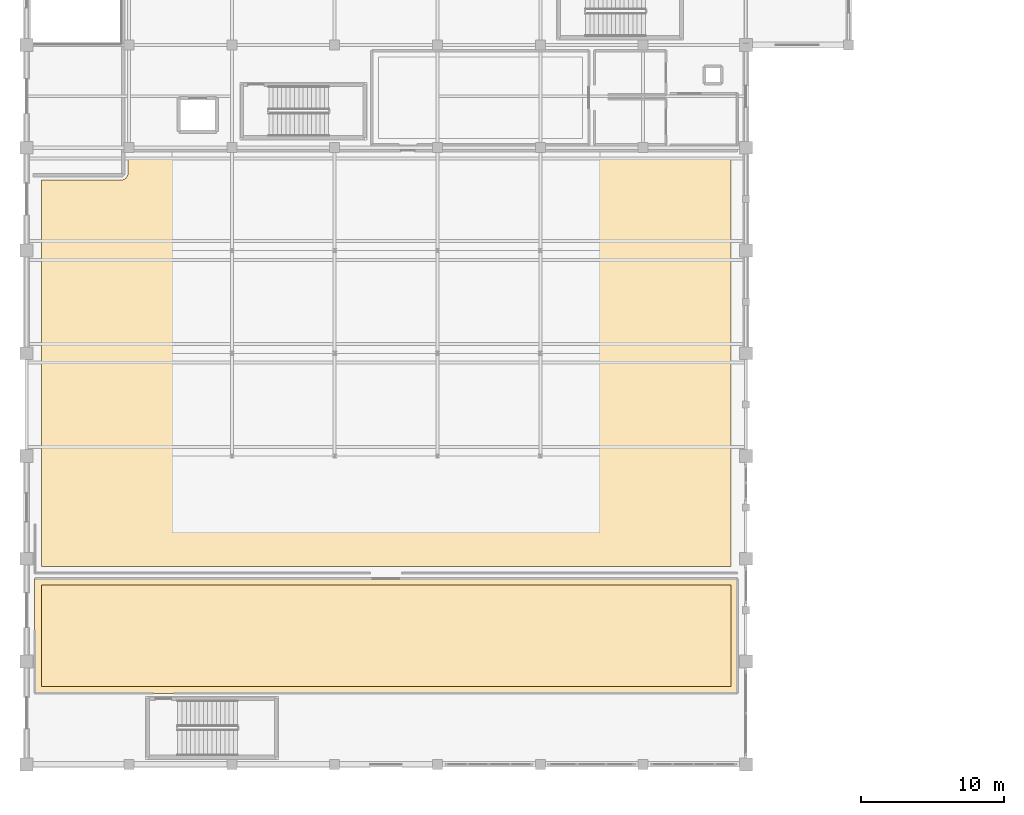
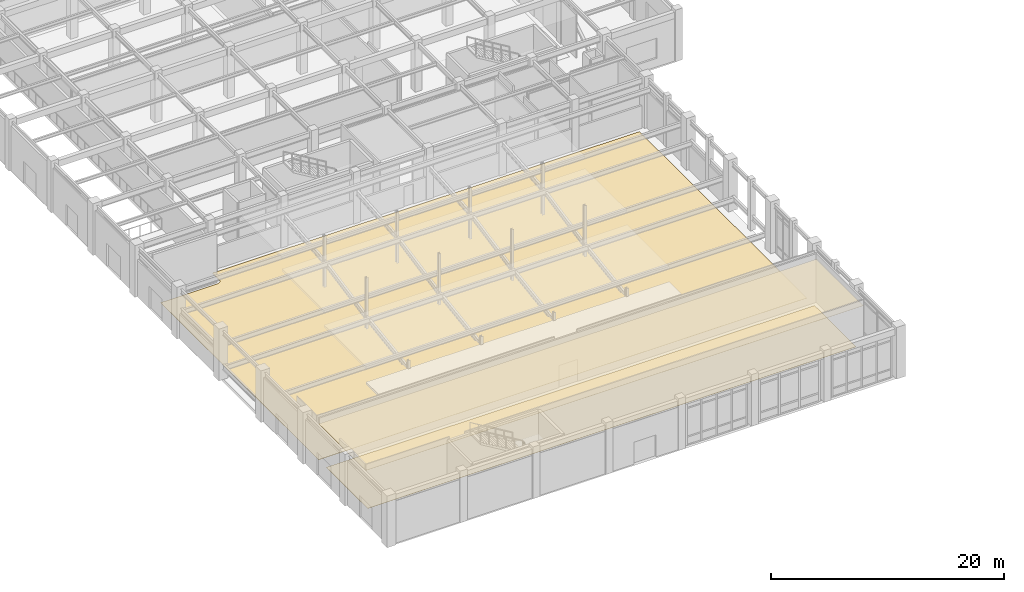
# One storey, part 87 of 102: 3 coverings.
"""IFC4 building model written with IfcOpenShell, lengths in metres."""

import ifcopenshell
import ifcopenshell.guid

model = None  # the IFC model being written
_history = None  # IfcOwnerHistory: only IFC2X3 demands one
_inside = {}  # id of a spatial element -> (the spatial element, [elements in it])
_under = {}  # id of a project, library or spatial element -> (it, [spatial elements below it])
_declared = {}  # id of a project -> (the project, [libraries it declares])
_typed = {}  # id of a type object -> (the type object, [elements of that type])
_made_of = {}  # id of a material, layer set ... -> (it, [elements and type objects made of it])


def new_model(schema):
    """Start an empty IFC model of exactly this schema.

    Asked for "IFC4X3", IfcOpenShell would pick the latest addendum, in which some entities
    have other attributes; the version numbers below select the first issue.
    IFC2X3 requires an IfcOwnerHistory on every rooted entity: one is made here for all.
    """
    global model, _history
    if schema == "IFC4X3":
        model = ifcopenshell.file(schema_version=(4, 3, 0, 0))
    else:
        model = ifcopenshell.file(schema=schema)
    _inside.clear()
    _under.clear()
    _declared.clear()
    _typed.clear()
    _made_of.clear()
    _history = None
    if model.schema == "IFC2X3":
        org = make("IfcOrganization", Name="unknown")
        user = make(
            "IfcPersonAndOrganization",
            ThePerson=make("IfcPerson", FamilyName="unknown"),
            TheOrganization=org,
        )
        app = make(
            "IfcApplication",
            ApplicationDeveloper=org,
            Version="unknown",
            ApplicationFullName="unknown",
            ApplicationIdentifier="unknown",
        )
        _history = make(
            "IfcOwnerHistory",
            OwningUser=user,
            OwningApplication=app,
            ChangeAction="ADDED",
            CreationDate=0,
        )
    return model


def make(cls, **values):
    """One entity of the class cls with the attributes given. An attribute that is None is left unset."""
    return model.create_entity(
        cls, **{name: value for name, value in values.items() if value is not None}
    )


def rooted(cls, **values):
    """An entity with a GlobalId (a new one), such as an element, a storey or a relation."""
    return make(cls, GlobalId=ifcopenshell.guid.new(), OwnerHistory=_history, **values)


def si_unit(unit_type, name, prefix=None):
    """IfcSIUnit, for example si_unit("LENGTHUNIT", "METRE", prefix="MILLI")."""
    return make("IfcSIUnit", UnitType=unit_type, Prefix=prefix, Name=name)


def assignment(units):
    """IfcUnitAssignment: the units of a project."""
    return None if units is None else make("IfcUnitAssignment", Units=units)


def point(xyz):
    """IfcCartesianPoint."""
    return None if xyz is None else make("IfcCartesianPoint", Coordinates=xyz)


def direction(xyz):
    """IfcDirection."""
    return None if xyz is None else make("IfcDirection", DirectionRatios=xyz)


def frame(location, z_axis=None, x_axis=None):
    """IfcAxis2Placement3D, a coordinate frame: its origin and axes. An axis left out is left unset."""
    return make(
        "IfcAxis2Placement3D",
        Location=point(location),
        Axis=direction(z_axis),
        RefDirection=direction(x_axis),
    )


def origin():
    """The frame at (0, 0, 0) with its axes left unset."""
    return frame((0.0, 0.0, 0.0))


def place(relative_to, where):
    """IfcLocalPlacement: puts the frame where relative to a parent placement (None: the world)."""
    return make(
        "IfcLocalPlacement", PlacementRelTo=relative_to, RelativePlacement=where
    )


def context(
    kind, dimensions, precision=None, world=None, true_north=None, identifier=None
):
    """IfcGeometricRepresentationContext, for example the 3D "Model" context."""
    return make(
        "IfcGeometricRepresentationContext",
        ContextIdentifier=identifier,
        ContextType=kind,
        CoordinateSpaceDimension=dimensions,
        Precision=precision,
        WorldCoordinateSystem=world,
        TrueNorth=true_north,
    )


def subcontext(parent, identifier, kind, view, scale=None):
    """IfcGeometricRepresentationSubContext, for example "Body" below "Model"."""
    return make(
        "IfcGeometricRepresentationSubContext",
        ContextIdentifier=identifier,
        ContextType=kind,
        ParentContext=parent,
        TargetScale=scale,
        TargetView=view,
    )


def project(units=None, contexts=None):
    """IfcProject with its units and contexts."""
    return rooted(
        "IfcProject",
        Name="project",
        RepresentationContexts=contexts,
        UnitsInContext=assignment(units),
    )


def spatial(cls, under=None, at=None, **own):
    """A site, building, storey or space (cls), placed at a placement, below another one or the project."""
    s = rooted(cls, ObjectPlacement=at, **own)
    if under is not None:
        _under.setdefault(under.id(), (under, []))[1].append(s)
    return s


def polyline(points):
    """IfcPolyline through the points."""
    return make("IfcPolyline", Points=[point(p) for p in points])


def outline(outer, holes=None, kind="AREA"):
    """IfcArbitraryClosedProfileDef: a profile drawn as a closed curve; with holes, ...WithVoids."""
    if holes is None:
        return make("IfcArbitraryClosedProfileDef", ProfileType=kind, OuterCurve=outer)
    return make(
        "IfcArbitraryProfileDefWithVoids",
        ProfileType=kind,
        OuterCurve=outer,
        InnerCurves=holes,
    )


def extrude(swept, where, along, depth):
    """IfcExtrudedAreaSolid: the profile swept, set in the frame where, extruded along a direction by depth."""
    return make(
        "IfcExtrudedAreaSolid",
        SweptArea=swept,
        Position=where,
        ExtrudedDirection=direction(along),
        Depth=depth,
    )


def shape(context_of_items, identifier, shape_type, items):
    """IfcShapeRepresentation: the items that make up one representation, for example the "Body"."""
    return make(
        "IfcShapeRepresentation",
        ContextOfItems=context_of_items,
        RepresentationIdentifier=identifier,
        RepresentationType=shape_type,
        Items=items,
    )


def material(Name=None, Category=None):
    """IfcMaterial."""
    return make("IfcMaterial", Name=Name, Category=Category)


def layer(
    of_material, thickness, ventilated=None, Name=None, Category=None, Priority=None
):
    """IfcMaterialLayer: one layer of a wall or slab, of a material (None: an air gap)."""
    return make(
        "IfcMaterialLayer",
        Material=of_material,
        LayerThickness=thickness,
        IsVentilated=ventilated,
        Name=Name,
        Category=Category,
        Priority=Priority,
    )


def layer_set(layers, Name=None):
    """IfcMaterialLayerSet."""
    return make("IfcMaterialLayerSet", MaterialLayers=layers, LayerSetName=Name)


def made_of(thing, what):
    """Note that an element or type object is made of a material, layer set ...; save() writes the relation."""
    if what is not None:
        _made_of.setdefault(what.id(), (what, []))[1].append(thing)
    return thing


def type_object(cls, material=None, **own):
    """A type object (cls), such as IfcWallType, which elements share."""
    return made_of(rooted(cls, **own), material)


def element(
    cls,
    number,
    at=None,
    inside=None,
    cuts=None,
    type_object=None,
    material=None,
    context=None,
    identifier="Body",
    shape_type=None,
    held_by="IfcProductDefinitionShape",
    body=None,
    shapes=None,
    **own,
):
    """One element of the class cls, such as IfcWall. Its Tag is "e" and its number.

    at: its placement. inside: the storey or other place that contains it. cuts: it is an
    opening in that element (IfcRelVoidsElement). A single representation is given by context,
    identifier, shape_type and body (its items); several are given by shapes. held_by: the class
    of the entity that holds the representations. save() writes the other relations.
    """
    e = rooted(cls, Tag="e%d" % number, ObjectPlacement=at, **own)
    if body is not None:
        shapes = [shape(context, identifier, shape_type, body)]
    if shapes is not None:
        e.Representation = make(held_by, Representations=shapes)
    if inside is not None:
        _inside.setdefault(inside.id(), (inside, []))[1].append(e)
    if cuts is not None:
        rooted(
            "IfcRelVoidsElement", RelatingBuildingElement=cuts, RelatedOpeningElement=e
        )
    if type_object is not None:
        _typed.setdefault(type_object.id(), (type_object, []))[1].append(e)
    return made_of(e, material)


def aggregate(whole, parts):
    """IfcRelAggregates: a whole, such as a stair, and the parts it consists of."""
    return rooted("IfcRelAggregates", RelatingObject=whole, RelatedObjects=parts)


def save(model, path):
    """Write the relations noted so far, then the file.

    IfcRelAggregates (storeys below a building ...), IfcRelContainedInSpatialStructure (elements
    in a storey), IfcRelDefinesByType, IfcRelAssociatesMaterial and IfcRelDeclares: one each for
    every whole, place, type object, material and project.
    """
    for whole, parts in _under.values():
        aggregate(whole, parts)
    for where, things in _inside.values():
        rooted(
            "IfcRelContainedInSpatialStructure",
            RelatedElements=things,
            RelatingStructure=where,
        )
    for kind, things in _typed.values():
        rooted("IfcRelDefinesByType", RelatedObjects=things, RelatingType=kind)
    for what, things in _made_of.values():
        rooted("IfcRelAssociatesMaterial", RelatedObjects=things, RelatingMaterial=what)
    for by, libraries in _declared.values():
        rooted("IfcRelDeclares", RelatingContext=by, RelatedDefinitions=libraries)
    model.write(path)


model = new_model("IFC4")

# Units and contexts
model_context = context("Model", 3, precision=1e-05, world=origin(), true_north=direction((0.0, 1.0)))
body_context = subcontext(model_context, "Body", "Model", "MODEL_VIEW")
ifc_project = project(units=[si_unit("LENGTHUNIT", "METRE"), si_unit("AREAUNIT", "SQUARE_METRE"), si_unit("VOLUMEUNIT", "CUBIC_METRE"), si_unit("PLANEANGLEUNIT", "RADIAN"), si_unit("MASSUNIT", "GRAM", prefix="KILO")], contexts=[model_context])

# Site, building, storey
site_placement = place(None, origin())
site = spatial("IfcSite", under=ifc_project, at=site_placement, CompositionType="ELEMENT")
building_placement = place(site_placement, origin())
building = spatial("IfcBuilding", under=site, at=building_placement, Name="Carrowvane Square Congress Hotel", CompositionType="ELEMENT")
storey_placement = place(building_placement, origin())
storey = spatial("IfcBuildingStorey", under=building, at=storey_placement, Name="L00", CompositionType="ELEMENT", Elevation=0.0)

# Coverings
ifc_material_1 = material(Name="Acoustic gypsum board", Category="gypsum")
ifc_layer_1 = layer(ifc_material_1, 0.02001953125)
ifc_layer_set_1 = layer_set([ifc_layer_1], Name="Acoustic gypsum board")
covering_type_1 = type_object("IfcCoveringType", Name="COV-CLG-AC20", PredefinedType="CEILING", material=ifc_layer_set_1)
covering_1_placement = place(storey_placement, frame((0.0, 0.0, 4.429931640625)))
element("IfcCovering", 1, at=covering_1_placement, inside=storey, type_object=covering_type_1, Name="L00 Plenary Congress Stage and Wing acoustic ceiling", PredefinedType="CEILING", context=body_context, shape_type="SweptSolid", body=[
    extrude(outline(polyline([(12.194091796875, 18.419189453125), (12.196044921875, 18.419677734375), (12.197998046875, 18.419921875), (12.199951171875, 18.419921875), (61.39990234375, 18.419921875), (61.402099609375, 18.419921875), (61.40380859375, 18.419677734375), (61.40576171875, 18.419189453125), (61.40771484375, 18.41845703125), (61.409423828125, 18.41748046875), (61.4111328125, 18.41650390625), (61.41259765625, 18.41552734375), (61.4140625, 18.4140625), (61.41552734375, 18.41259765625), (61.41650390625, 18.4111328125), (61.41748046875, 18.409423828125), (61.41845703125, 18.40771484375), (61.419189453125, 18.40576171875), (61.419677734375, 18.40380859375), (61.419921875, 18.402099609375), (61.419921875, 18.39990234375), (61.419921875, 10.39990234375), (61.419921875, 10.39794921875), (61.419677734375, 10.39599609375), (61.419189453125, 10.394287109375), (61.41845703125, 10.392333984375), (61.41748046875, 10.390625), (61.41650390625, 10.388916015625), (61.41552734375, 10.38720703125), (61.4140625, 10.385986328125), (61.41259765625, 10.384521484375), (61.4111328125, 10.38330078125), (61.409423828125, 10.38232421875), (61.40771484375, 10.381591796875), (61.40576171875, 10.380859375), (61.40380859375, 10.38037109375), (61.402099609375, 10.380126953125), (61.39990234375, 10.3798828125), (12.199951171875, 10.3798828125), (12.197998046875, 10.380126953125), (12.196044921875, 10.38037109375), (12.194091796875, 10.380859375), (12.1923828125, 10.381591796875), (12.190673828125, 10.38232421875), (12.18896484375, 10.38330078125), (12.187255859375, 10.384521484375), (12.185791015625, 10.385986328125), (12.1845703125, 10.38720703125), (12.183349609375, 10.388916015625), (12.182373046875, 10.390625), (12.181396484375, 10.392333984375), (12.180908203125, 10.394287109375), (12.180419921875, 10.39599609375), (12.18017578125, 10.39794921875), (12.179931640625, 10.39990234375), (12.179931640625, 18.39990234375), (12.18017578125, 18.402099609375), (12.180419921875, 18.40380859375), (12.180908203125, 18.40576171875), (12.181396484375, 18.40771484375), (12.182373046875, 18.409423828125), (12.183349609375, 18.4111328125), (12.1845703125, 18.41259765625), (12.185791015625, 18.4140625), (12.187255859375, 18.41552734375), (12.18896484375, 18.41650390625), (12.190673828125, 18.41748046875), (12.1923828125, 18.41845703125), (12.194091796875, 18.419189453125)])), origin(), (0.0, 0.0, 1.0), 0.02001953125),
])
ifc_material_2 = material(Name="Portland limestone cladding", Category="masonry")
ifc_layer_2 = layer(ifc_material_2, 0.02587890625)
ifc_layer_set_2 = layer_set([ifc_layer_2], Name="Portland limestone cladding")
covering_type_2 = type_object("IfcCoveringType", Name="COV-FLR-STN26", PredefinedType="FLOORING", material=ifc_layer_set_2)
covering_2_placement = place(storey_placement, origin())
element("IfcCovering", 2, at=covering_2_placement, inside=storey, type_object=covering_type_2, Name="L00 Plenary Congress Auditorium Stalls floor finish", PredefinedType="FLOORING", context=body_context, shape_type="SweptSolid", body=[
    extrude(outline(polyline([(18.669921875, 46.6142578125), (18.687255859375, 46.65869140625), (18.699951171875, 46.705078125), (18.70751953125, 46.752197265625), (18.7099609375, 46.800048828125), (18.7099609375, 47.949951171875), (60.949951171875, 47.949951171875), (60.949951171875, 19.25), (12.64990234375, 19.25), (12.64990234375, 46.340087890625), (18.2529296875, 46.34033203125), (18.299560546875, 46.3427734375), (18.345458984375, 46.35009765625), (18.390625, 46.362060546875), (18.43408203125, 46.37841796875), (18.475830078125, 46.3994140625), (18.514892578125, 46.4248046875), (18.551513671875, 46.45361328125), (18.584716796875, 46.486328125), (18.6142578125, 46.5224609375), (18.621337890625, 46.531982421875), (18.64794921875, 46.57177734375), (18.669921875, 46.6142578125)])), origin(), (0.0, 0.0, 1.0), 0.02587890625),
])
ifc_material_3 = material(Name="Ceramic porcelain tile", Category="stone")
ifc_layer_3 = layer(ifc_material_3, 0.02197265625)
ifc_layer_set_3 = layer_set([ifc_layer_3], Name="Ceramic porcelain tile")
covering_type_3 = type_object("IfcCoveringType", Name="COV-FLR-TRZ22", PredefinedType="FLOORING", material=ifc_layer_set_3)
covering_3_placement = place(storey_placement, origin())
element("IfcCovering", 3, at=covering_3_placement, inside=storey, type_object=covering_type_3, Name="L00 Plenary Congress Stage and Wing floor finish", PredefinedType="FLOORING", context=body_context, shape_type="SweptSolid", body=[
    extrude(outline(polyline([(60.949951171875, 17.949951171875), (60.949951171875, 10.85009765625), (12.64990234375, 10.85009765625), (12.64990234375, 17.949951171875), (60.949951171875, 17.949951171875)])), origin(), (0.0, 0.0, 1.0), 0.02197265625),
])

save(model, "model.ifc")
